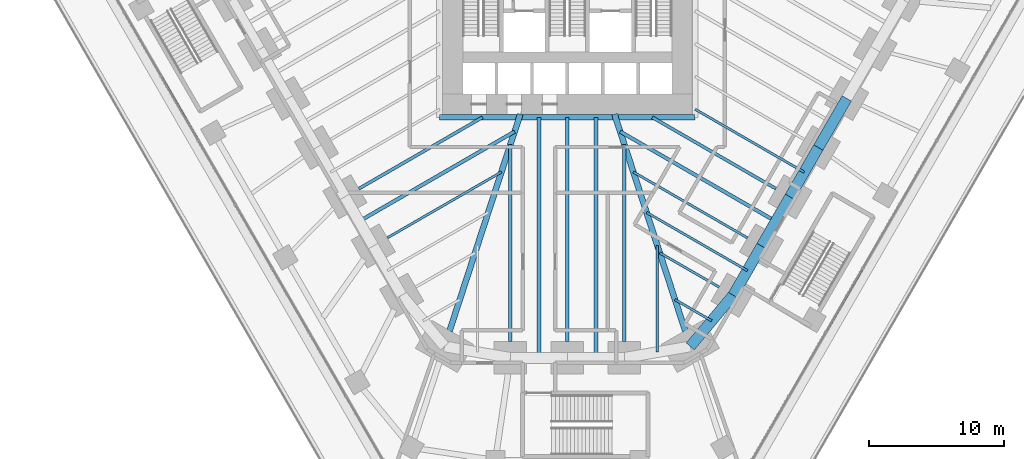
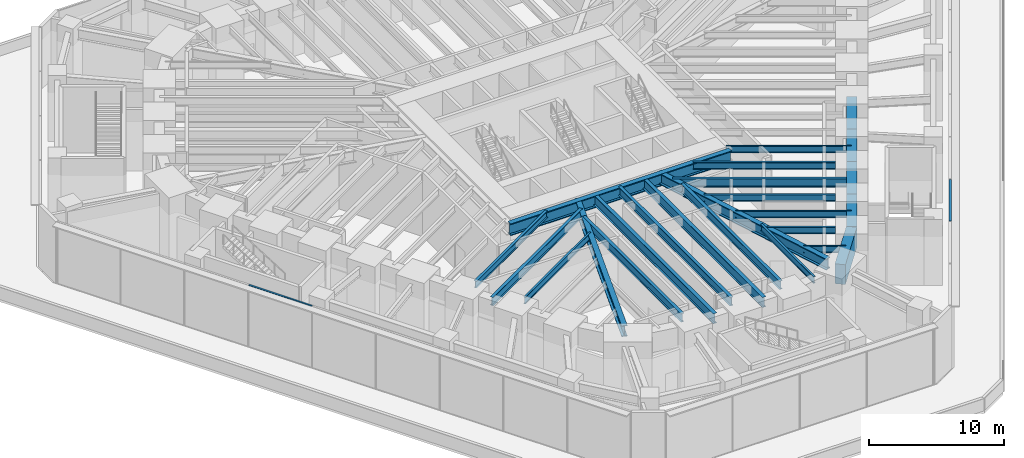
# One storey, part 4 of 24: 24 beams, 2 members, 2 elements without a shape of their own.
"""IFC4 building model written with IfcOpenShell, lengths in metres."""

from ifc_helpers import new_model, si_unit, direction, frame, origin, origin_2d, place, context, subcontext, project, spatial, rectangle, i_section, extrude, material, material_profile, profile_set, type_object, element, aggregate, save


model = new_model("IFC4")

# Units and contexts
model_context = context("Model", 3, precision=1e-05, world=origin(), true_north=direction((0.0, 1.0)))
body_context = subcontext(model_context, "Body", "Model", "MODEL_VIEW")
ifc_project = project(units=[si_unit("LENGTHUNIT", "METRE"), si_unit("AREAUNIT", "SQUARE_METRE"), si_unit("VOLUMEUNIT", "CUBIC_METRE"), si_unit("PLANEANGLEUNIT", "RADIAN"), si_unit("MASSUNIT", "GRAM", prefix="KILO")], contexts=[model_context])

# Site, building, storey
site_placement = place(None, origin())
site = spatial("IfcSite", under=ifc_project, at=site_placement, CompositionType="ELEMENT")
building_placement = place(site_placement, origin())
building = spatial("IfcBuilding", under=site, at=building_placement, Name="Sandreach Pilgrim Tower", CompositionType="ELEMENT")
storey_placement = place(building_placement, frame((0.0, 0.0, 12.0)))
storey = spatial("IfcBuildingStorey", under=building, at=storey_placement, Name="L02", CompositionType="ELEMENT", Elevation=12.0)

# Curtain wall, member
ifc_material_1 = material(Name="Aluminium framed curtain wall", Category="aluminium")
curtain_wall_type = type_object("IfcCurtainWallType", Name="Podium storefront curtain wall", PredefinedType="NOTDEFINED", material=ifc_material_1)
curtain_wall_1_placement = place(storey_placement, origin())
curtain_wall_1 = element("IfcCurtainWall", 1, at=curtain_wall_1_placement, inside=storey, type_object=curtain_wall_type, Name="CW-P L02 SE", PredefinedType="NOTDEFINED")
ifc_material_2 = material(Name="Aluminium extrusion", Category="aluminium")
ifc_material_profile_1 = material_profile(ifc_material_2, rectangle(XDim=0.159912109375, YDim=0.070068359375, at=origin_2d()), Name="CW-PT 160X70")
ifc_profile_set_1 = profile_set([ifc_material_profile_1], Name="Aluminium extrusion")
member_type = type_object("IfcMemberType", Name="CW-P transom", PredefinedType="USERDEFINED", material=ifc_profile_set_1)
member_1_placement = place(storey_placement, frame((21.8671875, -22.146728515625, 5.56494140625), z_axis=(-0.500006618465, -0.866021582578, 0.0), x_axis=(0.866021582578, -0.500006618465, 0.0)))
member_1 = element("IfcMember", 2, at=member_1_placement, type_object=member_type, Name="CW-P head transom 7", ObjectType="TRANSOM", PredefinedType="USERDEFINED", context=body_context, shape_type="SweptSolid", body=[
    extrude(rectangle(XDim=0.159912109375, YDim=0.070068359375, at=origin_2d()), origin(), (0.0, 0.0, 1.0), 5.404296875),
])
aggregate(curtain_wall_1, [member_1])

curtain_wall_2_placement = place(storey_placement, origin())
curtain_wall_2 = element("IfcCurtainWall", 3, at=curtain_wall_2_placement, inside=storey, type_object=curtain_wall_type, Name="CW-P L02 SW", PredefinedType="NOTDEFINED")
member_2_placement = place(storey_placement, frame((-27.376220703125, -12.604736328125, 5.56494140625), z_axis=(-0.500026181004, 0.866010287647, 0.0), x_axis=(-0.866010287647, -0.500026181004, 0.0)))
member_2 = element("IfcMember", 4, at=member_2_placement, type_object=member_type, Name="CW-P head transom 6", ObjectType="TRANSOM", PredefinedType="USERDEFINED", context=body_context, shape_type="SweptSolid", body=[
    extrude(rectangle(XDim=0.159912109375, YDim=0.070068359375, at=origin_2d()), origin(), (0.0, 0.0, 1.0), 5.404052734375),
])
aggregate(curtain_wall_2, [member_2])

# Beams
ifc_material_3 = material(Name="Steel ASTM A992 Grade 50", Category="steel")
ifc_material_profile_2 = material_profile(ifc_material_3, i_section(OverallWidth=0.424072265625, OverallDepth=1.09228515625, WebThickness=0.04541015625, FlangeThickness=0.08203125, at=origin_2d()), Name="W40X593")
ifc_profile_set_2 = profile_set([ifc_material_profile_2], Name="Steel ASTM A992 Grade 50")
beam_type_1 = type_object("IfcBeamType", Name="Core edge beam W40X593", PredefinedType="BEAM", material=ifc_profile_set_2)
beam_1_placement = place(storey_placement, frame((9.47216796875, -10.922119140625, 5.2939453125), z_axis=(-1.0, 0.0, 0.0), x_axis=(0.0, -1.0, 0.0)))
element("IfcBeam", 5, at=beam_1_placement, inside=storey, type_object=beam_type_1, Name="BM L02 CES", PredefinedType="BEAM", context=body_context, shape_type="SweptSolid", body=[
    extrude(i_section(OverallWidth=0.424072265625, OverallDepth=1.09228515625, WebThickness=0.04541015625, FlangeThickness=0.08203125, at=origin_2d()), origin(), (0.0, 0.0, 1.0), 18.9443359375),
])
ifc_material_4 = material(Name="Steel ASTM A992 Grade 50", Category="steel")
ifc_material_profile_3 = material_profile(ifc_material_4, i_section(OverallWidth=0.434326171875, OverallDepth=0.998291015625, WebThickness=0.0380859375, FlangeThickness=0.068115234375, at=origin_2d()), Name="W36X487")
ifc_profile_set_3 = profile_set([ifc_material_profile_3], Name="Steel ASTM A992 Grade 50")
beam_type_2 = type_object("IfcBeamType", Name="Corner girder W36X487", PredefinedType="BEAM", material=ifc_profile_set_3)
for number, where, z_axis, x_axis, name in (
    (6, (8.73388671875, -26.756103515625, 5.3408203125), (-0.310315410754, 0.950633654911, 0.0), (-0.950633654911, -0.310315410754, 0.0), "BM L02 CG22"),
    (7, (-8.73388671875, -26.756103515625, 5.3408203125), (0.310315410754, 0.950633654911, 0.0), (-0.950633654911, 0.310315410754, 0.0), "BM L02 CG26"),
):
    element("IfcBeam", number, at=place(storey_placement, frame(where, z_axis=z_axis, x_axis=x_axis)), inside=storey, type_object=beam_type_2, Name=name, PredefinedType="BEAM", context=body_context, shape_type="SweptSolid", body=[
        extrude(i_section(OverallWidth=0.434326171875, OverallDepth=0.998291015625, WebThickness=0.0380859375, FlangeThickness=0.068115234375, at=origin_2d()), origin(), (0.0, 0.0, 1.0), 16.889892578125),
    ])
ifc_material_5 = material(Name="Steel ASTM A992 Grade 50", Category="steel")
ifc_material_profile_4 = material_profile(ifc_material_5, i_section(OverallWidth=0.1787109375, OverallDepth=0.60205078125, WebThickness=0.010986328125, FlangeThickness=0.014892578125, at=origin_2d()), Name="W24X62")
ifc_profile_set_4 = profile_set([ifc_material_profile_4], Name="Steel ASTM A992 Grade 50")
beam_type_3 = type_object("IfcBeamType", Name="Floor beam W24X62", PredefinedType="BEAM", material=ifc_profile_set_4)
beam_2_placement = place(storey_placement, frame((13.347412109375, -19.859130859375, 5.5390625), z_axis=(-0.866025751498, 0.499999397742, 0.0), x_axis=(-0.499999397742, -0.866025751498, 0.0)))
element("IfcBeam", 8, at=beam_2_placement, inside=storey, type_object=beam_type_3, Name="BM L02 F20", PredefinedType="BEAM", context=body_context, shape_type="SweptSolid", body=[
    extrude(i_section(OverallWidth=0.1787109375, OverallDepth=0.60205078125, WebThickness=0.010986328125, FlangeThickness=0.014892578125, at=origin_2d()), origin(), (0.0, 0.0, 1.0), 9.767578125),
])
beam_3_placement = place(storey_placement, frame((11.242431640625, -23.5048828125, 5.5390625), z_axis=(-0.866027897259, 0.49999568115, 0.0), x_axis=(-0.49999568115, -0.866027897259, 0.0)))
element("IfcBeam", 9, at=beam_3_placement, inside=storey, type_object=beam_type_3, Name="BM L02 F21", PredefinedType="BEAM", context=body_context, shape_type="SweptSolid", body=[
    extrude(i_section(OverallWidth=0.1787109375, OverallDepth=0.60205078125, WebThickness=0.010986328125, FlangeThickness=0.014892578125, at=origin_2d()), origin(), (0.0, 0.0, 1.0), 5.0791015625),
])
beam_4_placement = place(storey_placement, frame((-13.347412109375, -19.859130859375, 5.5390625), z_axis=(0.866025751498, 0.499999397742, 0.0), x_axis=(-0.499999397742, 0.866025751498, 0.0)))
element("IfcBeam", 10, at=beam_4_placement, inside=storey, type_object=beam_type_3, Name="BM L02 F28", PredefinedType="BEAM", context=body_context, shape_type="SweptSolid", body=[
    extrude(i_section(OverallWidth=0.1787109375, OverallDepth=0.60205078125, WebThickness=0.010986328125, FlangeThickness=0.014892578125, at=origin_2d()), origin(), (0.0, 0.0, 1.0), 9.767578125),
])
beam_5_placement = place(storey_placement, frame((17.5439453125, -14.990234375, 5.5390625), z_axis=(-0.866018083415, 0.500012679037, 0.0), x_axis=(-0.500012679037, -0.866018083415, 0.0)))
element("IfcBeam", 11, at=beam_5_placement, inside=storey, type_object=beam_type_3, Name="BM L02 FM18", PredefinedType="BEAM", context=body_context, shape_type="SweptSolid", body=[
    extrude(i_section(OverallWidth=0.1787109375, OverallDepth=0.60205078125, WebThickness=0.010986328125, FlangeThickness=0.014892578125, at=origin_2d()), origin(), (0.0, 0.0, 1.0), 9.320556640625),
])
beam_6_placement = place(storey_placement, frame((13.334228515625, -22.281982421875, 5.5390625), z_axis=(-0.86602717807, 0.499996926835, 0.0), x_axis=(-0.499996926835, -0.86602717807, 0.0)))
element("IfcBeam", 12, at=beam_6_placement, inside=storey, type_object=beam_type_3, Name="BM L02 FM20", PredefinedType="BEAM", context=body_context, shape_type="SweptSolid", body=[
    extrude(i_section(OverallWidth=0.1787109375, OverallDepth=0.60205078125, WebThickness=0.010986328125, FlangeThickness=0.014892578125, at=origin_2d()), origin(), (0.0, 0.0, 1.0), 8.62353515625),
])
beam_7_placement = place(storey_placement, frame((10.694091796875, -26.0009765625, 5.5390625), z_axis=(-0.866023718453, 0.500002919068, 0.0), x_axis=(-0.500002919068, -0.866023718453, 0.0)))
element("IfcBeam", 13, at=beam_7_placement, inside=storey, type_object=beam_type_3, Name="BM L02 FM21", PredefinedType="BEAM", context=body_context, shape_type="SweptSolid", body=[
    extrude(i_section(OverallWidth=0.1787109375, OverallDepth=0.60205078125, WebThickness=0.010986328125, FlangeThickness=0.014892578125, at=origin_2d()), origin(), (0.0, 0.0, 1.0), 3.1396484375),
])
beam_8_placement = place(storey_placement, frame((6.664306640625, -28.323974609375, 5.5390625), z_axis=(0.0, 1.0, 0.0), x_axis=(-1.0, 0.0, 0.0)))
element("IfcBeam", 14, at=beam_8_placement, inside=storey, type_object=beam_type_3, Name="BM L02 FM22", PredefinedType="BEAM", context=body_context, shape_type="SweptSolid", body=[
    extrude(i_section(OverallWidth=0.1787109375, OverallDepth=0.60205078125, WebThickness=0.010986328125, FlangeThickness=0.014892578125, at=origin_2d()), origin(), (0.0, 0.0, 1.0), 7.907958984375),
])
ifc_material_6 = material(Name="Steel ASTM A992 Grade 50", Category="steel")
ifc_material_profile_5 = material_profile(ifc_material_6, i_section(OverallWidth=0.23046875, OverallDepth=0.6171875, WebThickness=0.01318359375, FlangeThickness=0.022216796875, at=origin_2d()), Name="W24X94")
ifc_profile_set_5 = profile_set([ifc_material_profile_5], Name="Steel ASTM A992 Grade 50")
beam_type_4 = type_object("IfcBeamType", Name="Floor beam W24X94", PredefinedType="BEAM", material=ifc_profile_set_5)
for number, where, z_axis, x_axis, name in (
    (15, (15.452392578125, -16.213134765625, 5.531494140625), (-0.866031141999, 0.499990060989, 0.0), (-0.499990060989, -0.866031141999, 0.0), "BM L02 F19"),
    (16, (-15.452392578125, -16.213134765625, 5.531494140625), (0.866031141999, 0.499990060989, 0.0), (-0.499990060989, 0.866031141999, 0.0), "BM L02 F29"),
):
    element("IfcBeam", number, at=place(storey_placement, frame(where, z_axis=z_axis, x_axis=x_axis)), inside=storey, type_object=beam_type_4, Name=name, PredefinedType="BEAM", context=body_context, shape_type="SweptSolid", body=[
        extrude(i_section(OverallWidth=0.23046875, OverallDepth=0.6171875, WebThickness=0.01318359375, FlangeThickness=0.022216796875, at=origin_2d()), origin(), (0.0, 0.0, 1.0), 10.582275390625),
    ])
ifc_material_7 = material(Name="Steel ASTM A992 Grade 50", Category="steel")
ifc_material_profile_6 = material_profile(ifc_material_7, i_section(OverallWidth=0.2666015625, OverallDepth=0.761962890625, WebThickness=0.014404296875, FlangeThickness=0.021484375, at=origin_2d()), Name="W30X116")
ifc_profile_set_6 = profile_set([ifc_material_profile_6], Name="Steel ASTM A992 Grade 50")
beam_type_5 = type_object("IfcBeamType", Name="Floor beam W30X116", PredefinedType="BEAM", material=ifc_profile_set_6)
for number, where, z_axis, x_axis, name in (
    (17, (4.222412109375, -27.55078125, 5.458984375), (0.0, 1.0, 0.0), (-1.0, 0.0, 0.0), "BM L02 F23"),
    (18, (-4.222412109375, -27.55078125, 5.458984375), (0.0, 1.0, 0.0), (-1.0, 0.0, 0.0), "BM L02 F25"),
):
    element("IfcBeam", number, at=place(storey_placement, frame(where, z_axis=z_axis, x_axis=x_axis)), inside=storey, type_object=beam_type_5, Name=name, PredefinedType="BEAM", context=body_context, shape_type="SweptSolid", body=[
        extrude(i_section(OverallWidth=0.2666015625, OverallDepth=0.761962890625, WebThickness=0.014404296875, FlangeThickness=0.021484375, at=origin_2d()), origin(), (0.0, 0.0, 1.0), 14.61572265625),
    ])
for number, where, z_axis, x_axis, name in (
    (19, (15.43896484375, -18.63623046875, 5.458984375), (-0.866021271874, 0.50000715661, 0.0), (-0.50000715661, -0.866021271874, 0.0), "BM L02 FM19"),
    (20, (-15.43896484375, -18.63623046875, 5.458984375), (0.866021271874, 0.50000715661, 0.0), (-0.50000715661, 0.866021271874, 0.0), "BM L02 FM28"),
):
    element("IfcBeam", number, at=place(storey_placement, frame(where, z_axis=z_axis, x_axis=x_axis)), inside=storey, type_object=beam_type_5, Name=name, PredefinedType="BEAM", context=body_context, shape_type="SweptSolid", body=[
        extrude(i_section(OverallWidth=0.2666015625, OverallDepth=0.761962890625, WebThickness=0.014404296875, FlangeThickness=0.021484375, at=origin_2d()), origin(), (0.0, 0.0, 1.0), 13.311767578125),
    ])
ifc_material_8 = material(Name="Steel ASTM A992 Grade 50", Category="steel")
ifc_material_profile_7 = material_profile(ifc_material_8, i_section(OverallWidth=0.2666015625, OverallDepth=0.77978515625, WebThickness=0.0166015625, FlangeThickness=0.030029296875, at=origin_2d()), Name="W30X148")
ifc_profile_set_7 = profile_set([ifc_material_profile_7], Name="Steel ASTM A992 Grade 50")
beam_type_6 = type_object("IfcBeamType", Name="Floor beam W30X148", PredefinedType="BEAM", material=ifc_profile_set_7)
beam_9_placement = place(storey_placement, frame((0.0, -27.55078125, 5.4501953125), z_axis=(0.0, 1.0, 0.0), x_axis=(-1.0, 0.0, 0.0)))
element("IfcBeam", 21, at=beam_9_placement, inside=storey, type_object=beam_type_6, Name="BM L02 F24", PredefinedType="BEAM", context=body_context, shape_type="SweptSolid", body=[
    extrude(i_section(OverallWidth=0.2666015625, OverallDepth=0.77978515625, WebThickness=0.0166015625, FlangeThickness=0.030029296875, at=origin_2d()), origin(), (0.0, 0.0, 1.0), 16.628662109375),
])
ifc_material_9 = material(Name="Steel ASTM A992 Grade 50", Category="steel")
ifc_material_profile_8 = material_profile(ifc_material_9, i_section(OverallWidth=0.3046875, OverallDepth=0.914306640625, WebThickness=0.0166015625, FlangeThickness=0.02587890625, at=origin_2d()), Name="W36X160")
ifc_profile_set_8 = profile_set([ifc_material_profile_8], Name="Steel ASTM A992 Grade 50")
beam_type_7 = type_object("IfcBeamType", Name="Floor beam W36X160", PredefinedType="BEAM", material=ifc_profile_set_8)
for number, where, z_axis, x_axis, name in (
    (22, (2.111083984375, -28.7509765625, 5.3828125), (0.0, 1.0, 0.0), (-1.0, 0.0, 0.0), "BM L02 FM23"),
    (23, (-2.111083984375, -28.7509765625, 5.3828125), (0.0, 1.0, 0.0), (-1.0, 0.0, 0.0), "BM L02 FM24"),
):
    element("IfcBeam", number, at=place(storey_placement, frame(where, z_axis=z_axis, x_axis=x_axis)), inside=storey, type_object=beam_type_7, Name=name, PredefinedType="BEAM", context=body_context, shape_type="SweptSolid", body=[
        extrude(i_section(OverallWidth=0.3046875, OverallDepth=0.914306640625, WebThickness=0.0166015625, FlangeThickness=0.02587890625, at=origin_2d()), origin(), (0.0, 0.0, 1.0), 17.828857421875),
    ])
ifc_material_10 = material(Name="Concrete 10000 psi", Category="concrete")
ifc_material_profile_9 = material_profile(ifc_material_10, rectangle(XDim=0.800048828125, YDim=1.800048828125, at=origin_2d()), Name="RC800X1800")
ifc_profile_set_9 = profile_set([ifc_material_profile_9], Name="Concrete 10000 psi")
beam_type_8 = type_object("IfcBeamType", Name="Spandrel beam RC800X1800", PredefinedType="SPANDREL", material=ifc_profile_set_9)
beam_10_placement = place(storey_placement, frame((20.701416015625, -9.521484375, 4.93994140625), z_axis=(-0.50001863446, -0.866014644907, 0.0), x_axis=(0.866014644907, -0.50001863446, 0.0)))
element("IfcBeam", 24, at=beam_10_placement, inside=storey, type_object=beam_type_8, Name="BM L02 SP17", PredefinedType="SPANDREL", context=body_context, shape_type="SweptSolid", body=[
    extrude(rectangle(XDim=0.800048828125, YDim=1.800048828125, at=origin_2d()), origin(), (0.0, 0.0, 1.0), 4.209716796875),
])
beam_11_placement = place(storey_placement, frame((18.596435546875, -13.167236328125, 4.93994140625), z_axis=(-0.499993523031, -0.866029143232, 0.0), x_axis=(0.866029143232, -0.499993523031, 0.0)))
element("IfcBeam", 25, at=beam_11_placement, inside=storey, type_object=beam_type_8, Name="BM L02 SP18", PredefinedType="SPANDREL", context=body_context, shape_type="SweptSolid", body=[
    extrude(rectangle(XDim=0.800048828125, YDim=1.800048828125, at=origin_2d()), origin(), (0.0, 0.0, 1.0), 4.2099609375),
])
beam_12_placement = place(storey_placement, frame((16.491455078125, -16.813232421875, 4.93994140625), z_axis=(-0.499975138639, -0.866039757022, 0.0), x_axis=(0.866039757022, -0.499975138639, 0.0)))
element("IfcBeam", 26, at=beam_12_placement, inside=storey, type_object=beam_type_8, Name="BM L02 SP19", PredefinedType="SPANDREL", context=body_context, shape_type="SweptSolid", body=[
    extrude(rectangle(XDim=0.800048828125, YDim=1.800048828125, at=origin_2d()), origin(), (0.0, 0.0, 1.0), 4.209716796875),
])
beam_13_placement = place(storey_placement, frame((14.38671875, -20.458984375, 4.93994140625), z_axis=(-0.499993523031, -0.866029143232, 0.0), x_axis=(0.866029143232, -0.499993523031, 0.0)))
element("IfcBeam", 27, at=beam_13_placement, inside=storey, type_object=beam_type_8, Name="BM L02 SP20", PredefinedType="SPANDREL", context=body_context, shape_type="SweptSolid", body=[
    extrude(rectangle(XDim=0.800048828125, YDim=1.800048828125, at=origin_2d()), origin(), (0.0, 0.0, 1.0), 4.2099609375),
])
beam_14_placement = place(storey_placement, frame((12.28173828125, -24.10498046875, 4.93994140625), z_axis=(-0.642008193922, -0.766697775488, 0.0), x_axis=(0.766697775488, -0.642008193922, 0.0)))
element("IfcBeam", 28, at=beam_14_placement, inside=storey, type_object=beam_type_8, Name="BM L02 SP21", PredefinedType="SPANDREL", context=body_context, shape_type="SweptSolid", body=[
    extrude(rectangle(XDim=0.800048828125, YDim=1.800048828125, at=origin_2d()), origin(), (0.0, 0.0, 1.0), 4.94580078125),
])

save(model, "model.ifc")
